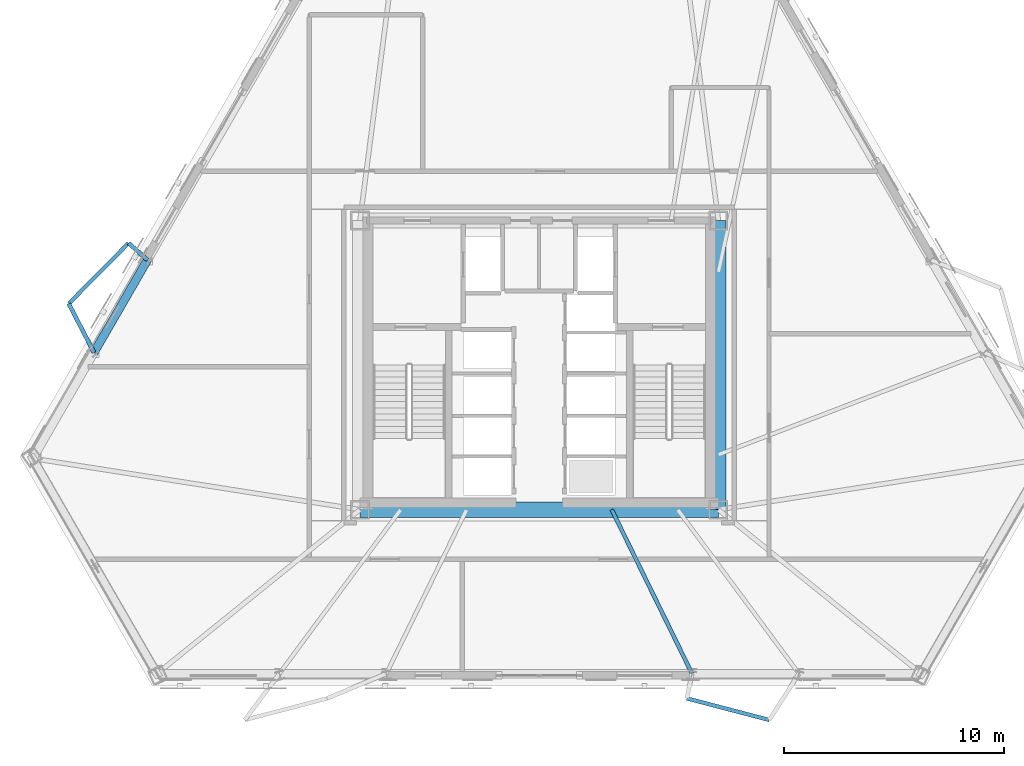
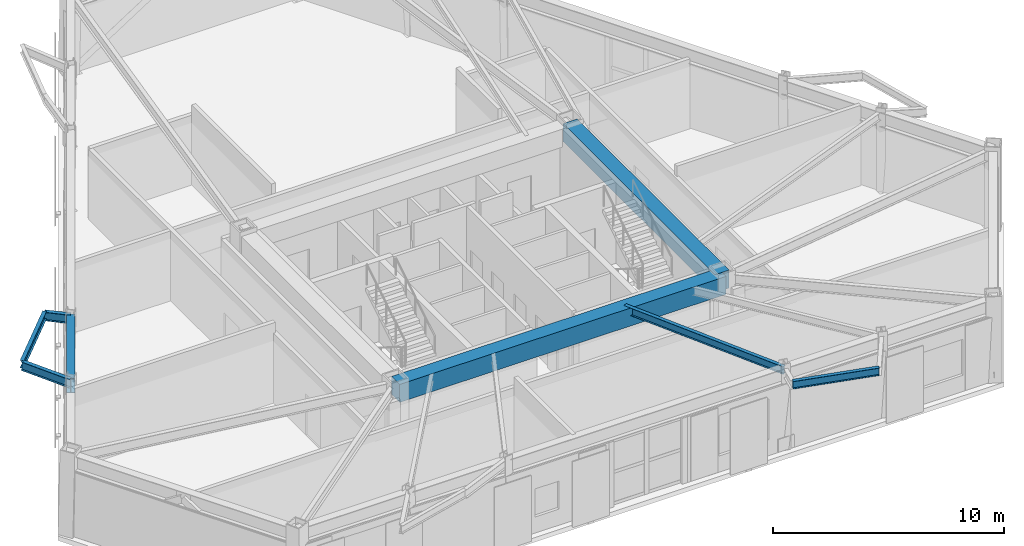
# One storey, part 3 of 14: 8 beams.
"""IFC4 building model written with IfcOpenShell, lengths in metres."""

from ifc_helpers import new_model, si_unit, direction, frame, origin, origin_2d, place, context, subcontext, project, spatial, rectangle, i_section, extrude, material, material_profile, profile_set, type_object, element, save


model = new_model("IFC4")

# Units and contexts
model_context = context("Model", 3, precision=1e-05, world=origin(), true_north=direction((0.0, 1.0)))
body_context = subcontext(model_context, "Body", "Model", "MODEL_VIEW")
ifc_project = project(units=[si_unit("LENGTHUNIT", "METRE"), si_unit("AREAUNIT", "SQUARE_METRE"), si_unit("VOLUMEUNIT", "CUBIC_METRE"), si_unit("PLANEANGLEUNIT", "RADIAN"), si_unit("MASSUNIT", "GRAM", prefix="KILO")], contexts=[model_context])

# Site, building, storey
site_placement = place(None, origin())
site = spatial("IfcSite", under=ifc_project, at=site_placement, CompositionType="ELEMENT")
building_placement = place(site_placement, origin())
building = spatial("IfcBuilding", under=site, at=building_placement, Name="Oramaril Tower", CompositionType="ELEMENT")
storey_placement = place(building_placement, frame((0.0, 0.0, 107.699951171875)))
storey = spatial("IfcBuildingStorey", under=building, at=storey_placement, Name="L28", CompositionType="ELEMENT", Elevation=107.699951171875)

# Beams
ifc_material_1 = material(Name="Steel ASTM A572 Gr 50", Category="steel")
ifc_material_profile_1 = material_profile(ifc_material_1, i_section(OverallWidth=0.19091796875, OverallDepth=0.45703125, WebThickness=0.009033203125, FlangeThickness=0.014404296875, at=origin_2d()), Name="W18X50")
ifc_profile_set_1 = profile_set([ifc_material_profile_1], Name="Steel ASTM A572 Gr 50")
beam_type_1 = type_object("IfcBeamType", Name="BT-BB1", PredefinedType="BEAM", material=ifc_profile_set_1)
beam_1_placement = place(storey_placement, frame((19.687744140625, 22.358642578125, 4.031494140625), z_axis=(-0.747935428548, 0.663771492852, 0.0), x_axis=(-0.663771492852, -0.747935428548, 0.0)))
element("IfcBeam", 1, at=beam_1_placement, inside=storey, type_object=beam_type_1, Name="L28 Balcony Column-Framed Cantilever 06.1", PredefinedType="BEAM", context=body_context, shape_type="SweptSolid", body=[
    extrude(i_section(OverallWidth=0.19091796875, OverallDepth=0.45703125, WebThickness=0.009033203125, FlangeThickness=0.014404296875, at=origin_2d()), origin(), (0.0, 0.0, 1.0), 1.151611328125),
])
beam_2_placement = place(storey_placement, frame((17.255126953125, 18.1455078125, 4.031494140625), z_axis=(-0.458950801305, 0.8884616829, 0.0), x_axis=(-0.8884616829, -0.458950801305, 0.0)))
element("IfcBeam", 2, at=beam_2_placement, inside=storey, type_object=beam_type_1, Name="L28 Balcony Column-Framed Cantilever 06.2", PredefinedType="BEAM", context=body_context, shape_type="SweptSolid", body=[
    extrude(i_section(OverallWidth=0.19091796875, OverallDepth=0.45703125, WebThickness=0.009033203125, FlangeThickness=0.014404296875, at=origin_2d()), origin(), (0.0, 0.0, 1.0), 2.50439453125),
])
ifc_material_2 = material(Name="Concrete C50/60", Category="concrete")
ifc_material_profile_2 = material_profile(ifc_material_2, rectangle(XDim=0.699951171875, YDim=0.949951171875, at=origin_2d()), Name="CB700X950")
ifc_profile_set_2 = profile_set([ifc_material_profile_2], Name="Concrete C50/60")
beam_type_2 = type_object("IfcBeamType", Name="BT-CB1", PredefinedType="BEAM", material=ifc_profile_set_2)
beam_3_placement = place(storey_placement, frame((29.35009765625, 11.0, 3.78515625), z_axis=(1.0, 0.0, 0.0), x_axis=(0.0, 1.0, 0.0)))
element("IfcBeam", 3, at=beam_3_placement, inside=storey, type_object=beam_type_2, Name="L28 Core Header Beam CB-1", PredefinedType="BEAM", context=body_context, shape_type="SweptSolid", body=[
    extrude(rectangle(XDim=0.699951171875, YDim=0.949951171875, at=origin_2d()), origin(), (0.0, 0.0, 1.0), 16.2998046875),
])
beam_4_placement = place(storey_placement, frame((45.64990234375, 11.0, 3.78515625), z_axis=(0.0, 1.0, 0.0), x_axis=(-1.0, 0.0, 0.0)))
element("IfcBeam", 4, at=beam_4_placement, inside=storey, type_object=beam_type_2, Name="L28 Core Header Beam CB-2", PredefinedType="BEAM", context=body_context, shape_type="SweptSolid", body=[
    extrude(rectangle(XDim=0.699951171875, YDim=0.949951171875, at=origin_2d()), origin(), (0.0, 0.0, 1.0), 13.14990234375),
])
ifc_material_3 = material(Name="Steel ASTM A572 Gr 50", Category="steel")
ifc_material_profile_3 = material_profile(ifc_material_3, i_section(OverallWidth=0.177978515625, OverallDepth=0.404052734375, WebThickness=0.007568359375, FlangeThickness=0.010986328125, at=origin_2d()), Name="W16X36")
ifc_profile_set_3 = profile_set([ifc_material_profile_3], Name="Steel ASTM A572 Gr 50")
beam_type_3 = type_object("IfcBeamType", Name="BT-SB1", PredefinedType="BEAM", material=ifc_profile_set_3)
beam_5_placement = place(storey_placement, frame((40.800048828125, 11.0, 4.05810546875), z_axis=(0.439703815255, -0.898142836552, 0.0), x_axis=(0.898142836552, 0.439703815255, 0.0)))
element("IfcBeam", 5, at=beam_5_placement, inside=storey, type_object=beam_type_3, Name="L28 Secondary Floor Beam SB-03", PredefinedType="BEAM", context=body_context, shape_type="SweptSolid", body=[
    extrude(i_section(OverallWidth=0.177978515625, OverallDepth=0.404052734375, WebThickness=0.007568359375, FlangeThickness=0.010986328125, at=origin_2d()), origin(), (0.0, 0.0, 1.0), 8.30078125),
])
for number, where, z_axis, x_axis, name in (
    (6, (44.21875, 2.416748046875, 4.05810546875), (0.967407922874, -0.253223045479, 0.0), (0.253223045479, 0.967407922874, 0.0), "L28 Balcony Edge Tie Beam 02"),
    (7, (18.826416015625, 23.123046875, 4.05810546875), (-0.702994511648, -0.71119527318, 0.0), (0.71119527318, -0.702994511648, 0.0), "L28 Balcony Edge Tie Beam 06"),
):
    element("IfcBeam", number, at=place(storey_placement, frame(where, z_axis=z_axis, x_axis=x_axis)), inside=storey, type_object=beam_type_3, Name=name, PredefinedType="BEAM", context=body_context, shape_type="SweptSolid", body=[
        extrude(i_section(OverallWidth=0.177978515625, OverallDepth=0.404052734375, WebThickness=0.007568359375, FlangeThickness=0.010986328125, at=origin_2d()), origin(), (0.0, 0.0, 1.0), 3.8701171875),
    ])
ifc_material_4 = material(Name="Steel ASTM A572 Gr 50", Category="steel")
ifc_material_profile_4 = material_profile(ifc_material_4, i_section(OverallWidth=0.381103515625, OverallDepth=0.77197265625, WebThickness=0.0166015625, FlangeThickness=0.027099609375, at=origin_2d()), Name="W30X173")
ifc_profile_set_4 = profile_set([ifc_material_profile_4], Name="Steel ASTM A572 Gr 50")
beam_type_4 = type_object("IfcBeamType", Name="BT-SP2", PredefinedType="SPANDREL", material=ifc_profile_set_4)
beam_6_placement = place(storey_placement, frame((19.687744140625, 22.358642578125, 3.8740234375), z_axis=(-0.50002508151, -0.866010922483, 0.0), x_axis=(0.866010922483, -0.50002508151, 0.0)))
element("IfcBeam", 8, at=beam_6_placement, inside=storey, type_object=beam_type_4, Name="L28 Perimeter Spandrel 17", PredefinedType="SPANDREL", context=body_context, shape_type="SweptSolid", body=[
    extrude(i_section(OverallWidth=0.381103515625, OverallDepth=0.77197265625, WebThickness=0.0166015625, FlangeThickness=0.027099609375, at=origin_2d()), origin(), (0.0, 0.0, 1.0), 4.864990234375),
])

save(model, "model.ifc")
